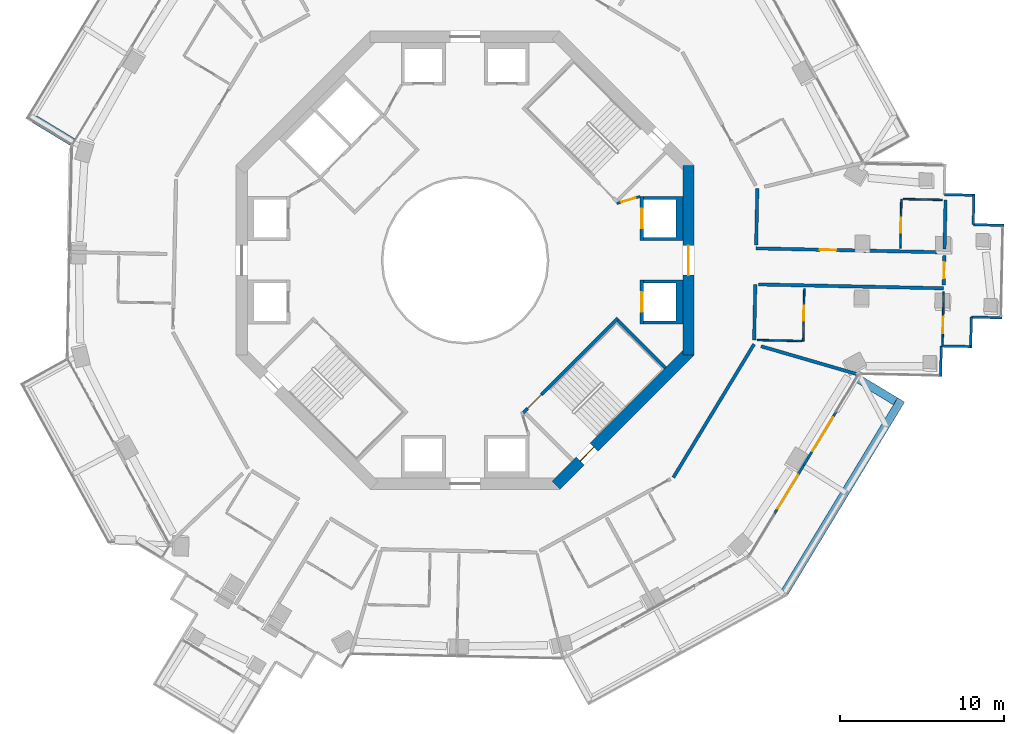
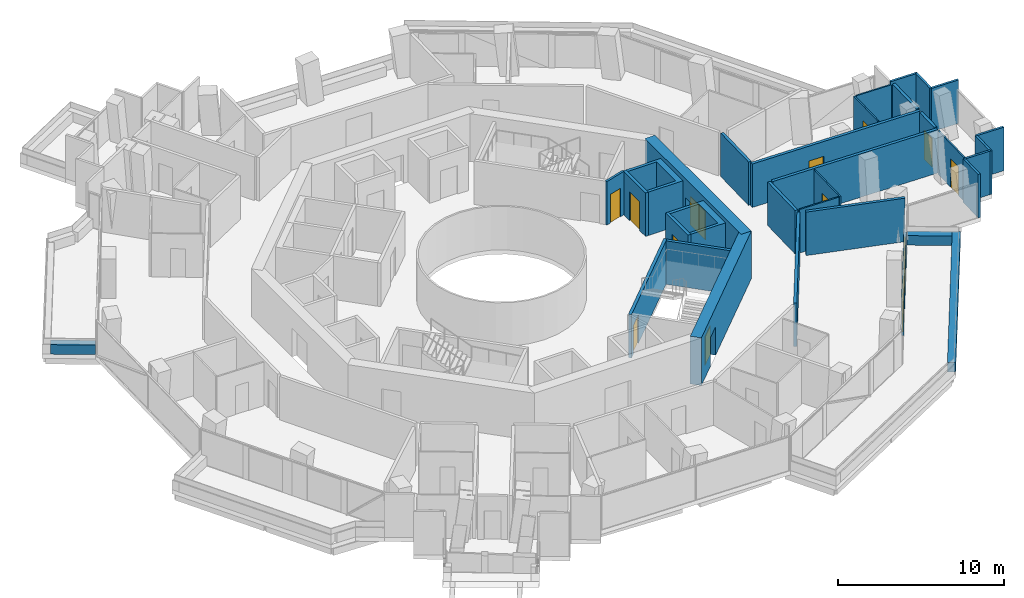
# One storey, part 16 of 22: 34 walls, 13 doors, 13 openings.
"""IFC4 building model written with IfcOpenShell, lengths in metres."""

from ifc_helpers import new_model, si_unit, direction, frame, frame_2d, origin, place, context, subcontext, project, spatial, polyline, rectangle, outline, extrude, material, layer, layer_set, type_object, element, fill, save


model = new_model("IFC4")

# Units and contexts
model_context = context("Model", 3, precision=1e-05, world=origin(), true_north=direction((0.0, 1.0)))
body_context = subcontext(model_context, "Body", "Model", "MODEL_VIEW")
ifc_project = project(units=[si_unit("LENGTHUNIT", "METRE"), si_unit("AREAUNIT", "SQUARE_METRE"), si_unit("VOLUMEUNIT", "CUBIC_METRE"), si_unit("PLANEANGLEUNIT", "RADIAN"), si_unit("MASSUNIT", "GRAM", prefix="KILO")], contexts=[model_context])

# Site, building, storey
site_placement = place(None, origin())
site = spatial("IfcSite", under=ifc_project, at=site_placement, CompositionType="ELEMENT")
building_placement = place(site_placement, origin())
building = spatial("IfcBuilding", under=site, at=building_placement, Name="Verdalira Terraces Hotel", CompositionType="ELEMENT")
storey_placement = place(building_placement, frame((0.0, 0.0, 150.5)))
storey = spatial("IfcBuildingStorey", under=building, at=storey_placement, Name="L36", CompositionType="ELEMENT", Elevation=150.5)

# Walls
ifc_material_1 = material(Name="Concrete C40", Category="concrete")
ifc_layer_1 = layer(ifc_material_1, 0.5)
ifc_layer_set_1 = layer_set([ifc_layer_1], Name="Balcony planter trough with tree")
wall_type_1 = type_object("IfcWallType", Name="Balcony planter trough with tree", PredefinedType="SOLIDWALL", material=ifc_layer_set_1)
wall_1_placement = place(storey_placement, frame((-26.296875, 8.619141, 0.0), z_axis=(0.0, 0.0, 1.0), x_axis=(0.855354527, -0.518043081, 0.0)))
element("IfcWall", 1, at=wall_1_placement, inside=storey, type_object=wall_type_1, Name="Balcony planter", PredefinedType="SOLIDWALL", context=body_context, shape_type="SweptSolid", body=[
    extrude(rectangle(XDim=2.698975, YDim=0.5, at=frame_2d((1.349609, 0.0))), origin(), (0.0, 0.0, 1.0), 0.699951),
])
wall_2_placement = place(storey_placement, frame((19.531006, -20.273438, 0.0), z_axis=(0.0, 0.0, 1.0), x_axis=(0.518020576, 0.855368156, 0.0)))
element("IfcWall", 2, at=wall_2_placement, inside=storey, type_object=wall_type_1, Name="Balcony planter", PredefinedType="SOLIDWALL", context=body_context, shape_type="SweptSolid", body=[
    extrude(rectangle(XDim=13.723633, YDim=0.5, at=frame_2d((6.861816, 0.0))), origin(), (0.0, 0.0, 1.0), 0.699951),
])
wall_3_placement = place(storey_placement, frame((26.296875, -8.619141, 0.0), z_axis=(0.0, 0.0, 1.0), x_axis=(-0.855354527, 0.518043081, 0.0)))
element("IfcWall", 3, at=wall_3_placement, inside=storey, type_object=wall_type_1, Name="Balcony planter", PredefinedType="SOLIDWALL", context=body_context, shape_type="SweptSolid", body=[
    extrude(rectangle(XDim=2.698975, YDim=0.5, at=frame_2d((1.349609, 0.0))), origin(), (0.0, 0.0, 1.0), 0.699951),
])
ifc_material_2 = material(Name="Moisture-resistant gypsum board partition")
ifc_layer_2 = layer(ifc_material_2, 0.10009765625)
ifc_layer_set_2 = layer_set([ifc_layer_2], Name="Bathroom partition 100 mm")
wall_type_2 = type_object("IfcWallType", Name="Bathroom partition 100 mm", PredefinedType="PARTITIONING", material=ifc_layer_set_2)
wall_4_placement = place(storey_placement, frame((17.860107, -4.875, 0.0), z_axis=(0.0, 0.0, 1.0), x_axis=(0.999779947, -0.020977566, 0.0)))
element("IfcWall", 4, at=wall_4_placement, inside=storey, type_object=wall_type_2, Name="Bathroom partition", PredefinedType="PARTITIONING", context=body_context, shape_type="SweptSolid", body=[
    extrude(rectangle(XDim=2.699951, YDim=0.100098, at=frame_2d((1.350098, 0.0))), origin(), (0.0, 0.0, 1.0), 3.189941),
])

# Wall, opening, door
wall_5_placement = place(storey_placement, frame((20.659424, -4.933594, 0.0), z_axis=(0.0, 0.0, 1.0), x_axis=(0.020981339, 0.999779867, 0.0)))
wall_5 = element("IfcWall", 5, at=wall_5_placement, inside=storey, type_object=wall_type_2, Name="Bathroom partition", PredefinedType="PARTITIONING", context=body_context, shape_type="SweptSolid", body=[
    extrude(rectangle(XDim=3.199951, YDim=0.100098, at=frame_2d((1.600098, 0.0))), origin(), (0.0, 0.0, 1.0), 3.189941),
])
opening_1_placement = place(wall_5_placement, frame((1.25, 0.0, 0.0)))
opening_1 = element("IfcOpeningElement", 6, at=opening_1_placement, cuts=wall_5, Name="Opening L36-124", PredefinedType="OPENING", context=body_context, shape_type="SweptSolid", body=[
    extrude(rectangle(XDim=0.899902, YDim=2.100098, at=frame_2d((0.449951, 1.050049))), frame((0.0, 0.060059, 0.0), z_axis=(0.0, -1.0, 0.0), x_axis=(1.0, 0.0, 0.0)), (0.0, 0.0, 1.0), 0.120117),
])
ifc_material_3 = material(Name="Timber door", Category="wood")
door_type_1 = type_object("IfcDoorType", Name="Bathroom door 900 x 2100", OperationType="NOTDEFINED", PredefinedType="DOOR", material=ifc_material_3)
door_1_placement = place(opening_1_placement, origin())
door_1 = element("IfcDoor", 7, at=door_1_placement, inside=storey, type_object=door_type_1, Name="Bathroom door 3608", OperationType="SINGLE_SWING_LEFT", OverallHeight=2.10009765625, OverallWidth=0.89990234375, PredefinedType="DOOR", context=body_context, shape_type="SweptSolid", body=[
    extrude(rectangle(XDim=0.899902, YDim=2.100098, at=frame_2d((0.449951, 1.050049))), frame((0.0, 0.024902, 0.0), z_axis=(0.0, -1.0, 0.0), x_axis=(1.0, 0.0, 0.0)), (0.0, 0.0, 1.0), 0.050049),
])
fill(opening_1, door_1)

wall_6_placement = place(storey_placement, frame((26.655029, 3.742676, 0.0), z_axis=(0.0, 0.0, 1.0), x_axis=(-0.020915245, -0.999781252, 0.0)))
wall_6 = element("IfcWall", 8, at=wall_6_placement, inside=storey, type_object=wall_type_2, Name="Bathroom partition", PredefinedType="PARTITIONING", context=body_context, shape_type="SweptSolid", body=[
    extrude(rectangle(XDim=3.0, YDim=0.100098, at=frame_2d((1.5, 0.0))), origin(), (0.0, 0.0, 1.0), 3.189941),
])
opening_2_placement = place(wall_6_placement, frame((1.149902, 0.0, 0.0)))
opening_2 = element("IfcOpeningElement", 9, at=opening_2_placement, cuts=wall_6, Name="Opening L36-126", PredefinedType="OPENING", context=body_context, shape_type="SweptSolid", body=[
    extrude(rectangle(XDim=0.899902, YDim=2.100098, at=frame_2d((0.449951, 1.050049))), frame((0.0, 0.060059, 0.0), z_axis=(0.0, -1.0, 0.0), x_axis=(1.0, 0.0, 0.0)), (0.0, 0.0, 1.0), 0.120117),
])
door_2_placement = place(opening_2_placement, origin())
door_2 = element("IfcDoor", 10, at=door_2_placement, inside=storey, type_object=door_type_1, Name="Bathroom door 3609", OperationType="SINGLE_SWING_LEFT", OverallHeight=2.10009765625, OverallWidth=0.89990234375, PredefinedType="DOOR", context=body_context, shape_type="SweptSolid", body=[
    extrude(rectangle(XDim=0.899902, YDim=2.100098, at=frame_2d((0.449951, 1.050049))), frame((0.0, 0.024902, 0.0), z_axis=(0.0, -1.0, 0.0), x_axis=(1.0, 0.0, 0.0)), (0.0, 0.0, 1.0), 0.050049),
])
fill(opening_2, door_2)

# Wall
wall_7_placement = place(storey_placement, frame((26.754883, 3.740479, 0.0), z_axis=(0.0, 0.0, 1.0), x_axis=(0.999780445, -0.020953787, 0.0)))
element("IfcWall", 11, at=wall_7_placement, inside=storey, type_object=wall_type_2, Name="Bathroom partition", PredefinedType="PARTITIONING", context=body_context, shape_type="SweptSolid", body=[
    extrude(rectangle(XDim=2.400146, YDim=0.100098, at=frame_2d((1.200195, 0.0))), origin(), (0.0, 0.0, 1.0), 3.189941),
])

# Wall, opening, door
wall_8_placement = place(storey_placement, frame((29.169189, -5.164062, 0.0), z_axis=(0.0, 0.0, 1.0), x_axis=(0.020944496, 0.99978064, 0.0)))
wall_8 = element("IfcWall", 12, at=wall_8_placement, inside=storey, type_object=wall_type_2, Name="Bathroom partition", PredefinedType="PARTITIONING", context=body_context, shape_type="SweptSolid", body=[
    extrude(rectangle(XDim=3.252197, YDim=0.100098, at=frame_2d((1.625977, 0.0))), origin(), (0.0, 0.0, 1.0), 3.189941),
])
opening_3_placement = place(wall_8_placement, frame((0.699951, 0.0, 0.0)))
opening_3 = element("IfcOpeningElement", 13, at=opening_3_placement, cuts=wall_8, Name="Opening L36-123", PredefinedType="OPENING", context=body_context, shape_type="SweptSolid", body=[
    extrude(rectangle(XDim=1.0, YDim=2.100098, at=frame_2d((0.5, 1.050049))), frame((0.0, 0.060059, 0.0), z_axis=(0.0, -1.0, 0.0), x_axis=(1.0, 0.0, 0.0)), (0.0, 0.0, 1.0), 0.120117),
])
ifc_material_4 = material(Name="Timber door", Category="wood")
door_type_2 = type_object("IfcDoorType", Name="Suite internal door 1000 x 2100", OperationType="NOTDEFINED", PredefinedType="DOOR", material=ifc_material_4)
door_3_placement = place(opening_3_placement, origin())
door_3 = element("IfcDoor", 14, at=door_3_placement, inside=storey, type_object=door_type_2, Name="Suite internal door 3608", OperationType="SINGLE_SWING_LEFT", OverallHeight=2.10009765625, OverallWidth=1.0, PredefinedType="DOOR", context=body_context, shape_type="SweptSolid", body=[
    extrude(rectangle(XDim=1.0, YDim=2.100098, at=frame_2d((0.5, 1.050049))), frame((0.0, 0.024902, 0.0), z_axis=(0.0, -1.0, 0.0), x_axis=(1.0, 0.0, 0.0)), (0.0, 0.0, 1.0), 0.050049),
])
fill(opening_3, door_3)

# Wall
ifc_material_5 = material(Name="Concrete C50", Category="concrete")
ifc_layer_3 = layer(ifc_material_5, 0.199951171875)
ifc_layer_set_3 = layer_set([ifc_layer_3], Name="Core RC wall 200 C50")
wall_type_3 = type_object("IfcWallType", Name="Core RC wall 200 C50", PredefinedType="SOLIDWALL", material=ifc_layer_set_3)
wall_9_placement = place(storey_placement, origin())
element("IfcWall", 15, at=wall_9_placement, inside=storey, type_object=wall_type_3, Name="L36 shaft wall E1", PredefinedType="SOLIDWALL", context=body_context, shape_type="SweptSolid", body=[
    extrude(outline(polyline([(13.300049, -3.899902), (10.899902, -3.899902), (10.899902, -3.699951), (12.899902, -3.699951), (12.899902, -1.399902), (10.899902, -1.399902), (10.899902, -1.199951), (13.300049, -1.199951), (13.300049, -3.899902)])), origin(), (0.0, 0.0, 1.0), 3.189941),
])

# Wall, opening, door
wall_10_placement = place(storey_placement, frame((10.800049, -1.199951, 0.0), z_axis=(0.0, 0.0, 1.0), x_axis=(0.0, -1.0, 0.0)))
wall_10 = element("IfcWall", 16, at=wall_10_placement, inside=storey, type_object=wall_type_3, Name="L36 shaft front wall E1", PredefinedType="SOLIDWALL", context=body_context, shape_type="SweptSolid", body=[
    extrude(rectangle(XDim=2.699951, YDim=0.199951, at=frame_2d((1.350098, 0.0))), origin(), (0.0, 0.0, 1.0), 3.189941),
])
opening_4_placement = place(wall_10_placement, frame((0.75, 0.0, 0.0)))
opening_4 = element("IfcOpeningElement", 17, at=opening_4_placement, cuts=wall_10, Name="Opening LD-L36-801", PredefinedType="OPENING", context=body_context, shape_type="SweptSolid", body=[
    extrude(rectangle(XDim=1.199951, YDim=2.100098, at=frame_2d((0.600098, 1.050049))), frame((0.0, 0.109863, 0.0), z_axis=(0.0, -1.0, 0.0), x_axis=(1.0, 0.0, 0.0)), (0.0, 0.0, 1.0), 0.219971),
])
ifc_material_6 = material(Name="Stainless steel", Category="steel")
door_type_3 = type_object("IfcDoorType", Name="Landing door 1200 x 2100", OperationType="NOTDEFINED", PredefinedType="DOOR", material=ifc_material_6)
door_4_placement = place(opening_4_placement, origin())
door_4 = element("IfcDoor", 18, at=door_4_placement, inside=storey, type_object=door_type_3, Name="Lift landing door LR1 L36", OperationType="DOUBLE_DOOR_SLIDING", OverallHeight=2.10009765625, OverallWidth=1.199951171875, PredefinedType="DOOR", context=body_context, shape_type="SweptSolid", body=[
    extrude(rectangle(XDim=1.199951, YDim=2.100098, at=frame_2d((0.600098, 1.050049))), frame((0.0, 0.024902, 0.0), z_axis=(0.0, -1.0, 0.0), x_axis=(1.0, 0.0, 0.0)), (0.0, 0.0, 1.0), 0.050049),
])
fill(opening_4, door_4)

# Wall
wall_11_placement = place(storey_placement, origin())
element("IfcWall", 19, at=wall_11_placement, inside=storey, type_object=wall_type_3, Name="L36 shaft wall E2", PredefinedType="SOLIDWALL", context=body_context, shape_type="SweptSolid", body=[
    extrude(outline(polyline([(13.300049, 3.899902), (13.300049, 1.199951), (10.899902, 1.199951), (10.899902, 1.399902), (12.899902, 1.399902), (12.899902, 3.699951), (10.899902, 3.699951), (10.899902, 3.899902), (13.300049, 3.899902)])), origin(), (0.0, 0.0, 1.0), 3.189941),
])

# Wall, opening, door
wall_12_placement = place(storey_placement, frame((10.800049, 1.199951, 0.0), z_axis=(0.0, 0.0, 1.0), x_axis=(0.0, 1.0, 0.0)))
wall_12 = element("IfcWall", 20, at=wall_12_placement, inside=storey, type_object=wall_type_3, Name="L36 shaft front wall E2", PredefinedType="SOLIDWALL", context=body_context, shape_type="SweptSolid", body=[
    extrude(rectangle(XDim=2.699951, YDim=0.199951, at=frame_2d((1.350098, 0.0))), origin(), (0.0, 0.0, 1.0), 3.189941),
])
opening_5_placement = place(wall_12_placement, frame((0.75, 0.0, 0.0)))
opening_5 = element("IfcOpeningElement", 21, at=opening_5_placement, cuts=wall_12, Name="Opening LD-L36-802", PredefinedType="OPENING", context=body_context, shape_type="SweptSolid", body=[
    extrude(rectangle(XDim=1.199951, YDim=2.100098, at=frame_2d((0.600098, 1.050049))), frame((0.0, 0.109863, 0.0), z_axis=(0.0, -1.0, 0.0), x_axis=(1.0, 0.0, 0.0)), (0.0, 0.0, 1.0), 0.219971),
])
door_5_placement = place(opening_5_placement, origin())
door_5 = element("IfcDoor", 22, at=door_5_placement, inside=storey, type_object=door_type_3, Name="Lift landing door LR2 L36", OperationType="DOUBLE_DOOR_SLIDING", OverallHeight=2.10009765625, OverallWidth=1.199951171875, PredefinedType="DOOR", context=body_context, shape_type="SweptSolid", body=[
    extrude(rectangle(XDim=1.199951, YDim=2.100098, at=frame_2d((0.600098, 1.050049))), frame((0.0, 0.024902, 0.0), z_axis=(0.0, -1.0, 0.0), x_axis=(1.0, 0.0, 0.0)), (0.0, 0.0, 1.0), 0.050049),
])
fill(opening_5, door_5)

wall_13_placement = place(storey_placement, frame((9.33374, -3.5354, 0.0), z_axis=(0.0, 0.0, 1.0), x_axis=(-0.707106781, -0.707106781, 0.0)))
wall_13 = element("IfcWall", 23, at=wall_13_placement, inside=storey, type_object=wall_type_3, Name="L36 stair ST3 front wall", PredefinedType="SOLIDWALL", context=body_context, shape_type="SweptSolid", body=[
    extrude(rectangle(XDim=8.200195, YDim=0.199951, at=frame_2d((4.100098, 0.0))), origin(), (0.0, 0.0, 1.0), 3.189941),
])
opening_6_placement = place(wall_13_placement, frame((6.600098, 0.0, 0.0)))
opening_6 = element("IfcOpeningElement", 24, at=opening_6_placement, cuts=wall_13, Name="Opening L36-811", PredefinedType="OPENING", context=body_context, shape_type="SweptSolid", body=[
    extrude(rectangle(XDim=1.199951, YDim=2.100098, at=frame_2d((0.600098, 1.050049))), frame((0.0, 0.109863, 0.0), z_axis=(0.0, -1.0, 0.0), x_axis=(1.0, 0.0, 0.0)), (0.0, 0.0, 1.0), 0.219971),
])
ifc_material_7 = material(Name="Steel fire door", Category="steel")
door_type_4 = type_object("IfcDoorType", Name="Stair door 1200 x 2100", OperationType="NOTDEFINED", PredefinedType="DOOR", material=ifc_material_7)
door_6_placement = place(opening_6_placement, origin())
door_6 = element("IfcDoor", 25, at=door_6_placement, inside=storey, type_object=door_type_4, Name="Stair door ST3 L36", OperationType="SINGLE_SWING_RIGHT", OverallHeight=2.10009765625, OverallWidth=1.199951171875, PredefinedType="DOOR", context=body_context, shape_type="SweptSolid", body=[
    extrude(rectangle(XDim=1.199951, YDim=2.100098, at=frame_2d((0.600098, 1.050049))), frame((0.0, 0.024902, 0.0), z_axis=(0.0, -1.0, 0.0), x_axis=(1.0, 0.0, 0.0)), (0.0, 0.0, 1.0), 0.050049),
])
fill(opening_6, door_6)

# Wall
wall_14_placement = place(storey_placement, frame((9.33374, -3.677002, 0.0), z_axis=(0.0, 0.0, 1.0), x_axis=(0.707106781, -0.707106781, 0.0)))
element("IfcWall", 26, at=wall_14_placement, inside=storey, type_object=wall_type_3, Name="L36 stair ST3 end wall 2", PredefinedType="SOLIDWALL", context=body_context, shape_type="SweptSolid", body=[
    extrude(rectangle(XDim=4.100098, YDim=0.199951, at=frame_2d((2.050049, 0.0))), origin(), (0.0, 0.0, 1.0), 3.189941),
])

# Wall, opening, door
ifc_material_8 = material(Name="Gypsum board partition")
ifc_layer_4 = layer(ifc_material_8, 0.14990234375)
ifc_layer_set_4 = layer_set([ifc_layer_4], Name="Core partition 150 mm")
wall_type_4 = type_object("IfcWallType", Name="Core partition 150 mm", PredefinedType="PARTITIONING", material=ifc_layer_set_4)
wall_15_placement = place(storey_placement, frame((10.699951, 3.899902, 0.0), z_axis=(0.0, 0.0, 1.0), x_axis=(-0.957084567, -0.289808785, 0.0)))
wall_15 = element("IfcWall", 27, at=wall_15_placement, inside=storey, type_object=wall_type_4, Name="Room partition L36", PredefinedType="PARTITIONING", context=body_context, shape_type="SweptSolid", body=[
    extrude(rectangle(XDim=1.501221, YDim=0.149902, at=frame_2d((0.750488, 0.0))), origin(), (0.0, 0.0, 1.0), 3.189941),
])
opening_7_placement = place(wall_15_placement, frame((0.300781, 0.0, 0.0)))
opening_7 = element("IfcOpeningElement", 28, at=opening_7_placement, cuts=wall_15, Name="Opening L36-820", PredefinedType="OPENING", context=body_context, shape_type="SweptSolid", body=[
    extrude(rectangle(XDim=0.899902, YDim=2.100098, at=frame_2d((0.449951, 1.050049))), frame((0.0, 0.084961, 0.0), z_axis=(0.0, -1.0, 0.0), x_axis=(1.0, 0.0, 0.0)), (0.0, 0.0, 1.0), 0.169922),
])
ifc_material_9 = material(Name="Steel fire door", Category="steel")
door_type_5 = type_object("IfcDoorType", Name="Core room door 900 x 2100", OperationType="NOTDEFINED", PredefinedType="DOOR", material=ifc_material_9)
door_7_placement = place(opening_7_placement, origin())
door_7 = element("IfcDoor", 29, at=door_7_placement, inside=storey, type_object=door_type_5, Name="Door L36 room0", OperationType="SINGLE_SWING_LEFT", OverallHeight=2.10009765625, OverallWidth=0.89990234375, PredefinedType="DOOR", context=body_context, shape_type="SweptSolid", body=[
    extrude(rectangle(XDim=0.899902, YDim=2.100098, at=frame_2d((0.449951, 1.050049))), frame((0.0, 0.024902, 0.0), z_axis=(0.0, -1.0, 0.0), x_axis=(1.0, 0.0, 0.0)), (0.0, 0.0, 1.0), 0.050049),
])
fill(opening_7, door_7)

ifc_material_10 = material(Name="Concrete C60", Category="concrete")
ifc_layer_5 = layer(ifc_material_10, 0.699951171875)
ifc_layer_set_5 = layer_set([ifc_layer_5], Name="Core wall 700 C60")
wall_type_5 = type_object("IfcWallType", Name="Core wall 700 C60", PredefinedType="SHEAR", material=ifc_layer_set_5)
wall_16_placement = place(storey_placement, frame((13.649902, -5.799072, 0.0), z_axis=(0.0, 0.0, 1.0), x_axis=(0.0, 1.0, 0.0)))
wall_16 = element("IfcWall", 30, at=wall_16_placement, inside=storey, type_object=wall_type_5, Name="Core wall CW-L36-1", PredefinedType="SHEAR", context=body_context, shape_type="SweptSolid", body=[
    extrude(rectangle(XDim=11.598145, YDim=0.699951, at=frame_2d((5.799072, 0.0))), origin(), (0.0, 0.0, 1.0), 3.5),
])
opening_8_placement = place(wall_16_placement, frame((4.898926, 0.0, 0.0)))
opening_8 = element("IfcOpeningElement", 31, at=opening_8_placement, cuts=wall_16, Name="Opening L36-812", PredefinedType="OPENING", context=body_context, shape_type="SweptSolid", body=[
    extrude(rectangle(XDim=1.800049, YDim=2.100098, at=frame_2d((0.899902, 1.050049))), frame((0.0, 0.359863, 0.0), z_axis=(0.0, -1.0, 0.0), x_axis=(1.0, 0.0, 0.0)), (0.0, 0.0, 1.0), 0.719971),
])
ifc_material_11 = material(Name="Steel fire door", Category="steel")
door_type_6 = type_object("IfcDoorType", Name="Core entry door pair 1800 x 2100", OperationType="NOTDEFINED", PredefinedType="DOOR", material=ifc_material_11)
door_8_placement = place(opening_8_placement, origin())
door_8 = element("IfcDoor", 32, at=door_8_placement, inside=storey, type_object=door_type_6, Name="Core entry door L36 0", OperationType="DOUBLE_DOOR_SINGLE_SWING", OverallHeight=2.10009765625, OverallWidth=1.800048828125, PredefinedType="DOOR", context=body_context, shape_type="SweptSolid", body=[
    extrude(rectangle(XDim=1.800049, YDim=2.100098, at=frame_2d((0.899902, 1.050049))), frame((0.0, 0.024902, 0.0), z_axis=(0.0, -1.0, 0.0), x_axis=(1.0, 0.0, 0.0)), (0.0, 0.0, 1.0), 0.050049),
])
fill(opening_8, door_8)

wall_17_placement = place(storey_placement, frame((5.551514, -13.752441, 0.0), z_axis=(0.0, 0.0, 1.0), x_axis=(0.707106781, 0.707106781, 0.0)))
wall_17 = element("IfcWall", 33, at=wall_17_placement, inside=storey, type_object=wall_type_5, Name="Core wall CW-L36-8", PredefinedType="SHEAR", context=body_context, shape_type="SweptSolid", body=[
    extrude(rectangle(XDim=11.5979, YDim=0.699951, at=frame_2d((5.798828, 0.0))), origin(), (0.0, 0.0, 1.0), 3.5),
])
opening_9_placement = place(wall_17_placement, frame((2.099121, 0.0, 0.0)))
opening_9 = element("IfcOpeningElement", 34, at=opening_9_placement, cuts=wall_17, Name="Opening L36-818", PredefinedType="OPENING", context=body_context, shape_type="SweptSolid", body=[
    extrude(rectangle(XDim=1.199951, YDim=2.100098, at=frame_2d((0.600098, 1.050049))), frame((0.0, 0.359863, 0.0), z_axis=(0.0, -1.0, 0.0), x_axis=(1.0, 0.0, 0.0)), (0.0, 0.0, 1.0), 0.719971),
])
door_9_placement = place(opening_9_placement, origin())
door_9 = element("IfcDoor", 35, at=door_9_placement, inside=storey, type_object=door_type_4, Name="Stair exit door ST3 L36", OperationType="SINGLE_SWING_LEFT", OverallHeight=2.10009765625, OverallWidth=1.199951171875, PredefinedType="DOOR", context=body_context, shape_type="SweptSolid", body=[
    extrude(rectangle(XDim=1.199951, YDim=2.100098, at=frame_2d((0.600098, 1.050049))), frame((0.0, 0.024902, 0.0), z_axis=(0.0, -1.0, 0.0), x_axis=(1.0, 0.0, 0.0)), (0.0, 0.0, 1.0), 0.050049),
])
fill(opening_9, door_9)

# Walls
ifc_material_12 = material(Name="Fire-rated gypsum board wall")
ifc_layer_6 = layer(ifc_material_12, 0.199951171875)
ifc_layer_set_6 = layer_set([ifc_layer_6], Name="Demising wall 200 mm")
wall_type_6 = type_object("IfcWallType", Name="Demising wall 200 mm", PredefinedType="SOLIDWALL", material=ifc_layer_set_6)
wall_18_placement = place(storey_placement, frame((18.084229, -5.253906, 0.0), z_axis=(0.0, 0.0, 1.0), x_axis=(0.960299102, -0.278972463, 0.0)))
element("IfcWall", 36, at=wall_18_placement, inside=storey, type_object=wall_type_6, Name="Demising wall", PredefinedType="SOLIDWALL", context=body_context, shape_type="SweptSolid", body=[
    extrude(rectangle(XDim=6.13208, YDim=0.199951, at=frame_2d((3.065918, 0.0))), origin(), (0.0, 0.0, 1.0), 3.189941),
])
wall_19_placement = place(storey_placement, frame((29.291504, 0.684814, 0.0), z_axis=(0.0, 0.0, 1.0), x_axis=(0.020969293, 0.99978012, 0.0)))
element("IfcWall", 37, at=wall_19_placement, inside=storey, type_object=wall_type_6, Name="Demising wall", PredefinedType="SOLIDWALL", context=body_context, shape_type="SweptSolid", body=[
    extrude(rectangle(XDim=3.003906, YDim=0.199951, at=frame_2d((1.501953, 0.0))), origin(), (0.0, 0.0, 1.0), 3.189941),
])
ifc_material_13 = material(Name="Fire-rated gypsum board wall")
ifc_layer_7 = layer(ifc_material_13, 0.199951171875)
ifc_layer_set_7 = layer_set([ifc_layer_7], Name="Guest corridor wall 200 mm")
wall_type_7 = type_object("IfcWallType", Name="Guest corridor wall 200 mm", PredefinedType="SOLIDWALL", material=ifc_layer_set_7)
wall_20_placement = place(storey_placement, frame((12.725098, -13.268799, 0.0), z_axis=(0.0, 0.0, 1.0), x_axis=(0.518037864, 0.855357686, 0.0)))
element("IfcWall", 38, at=wall_20_placement, inside=storey, type_object=wall_type_7, Name="Guest corridor wall", PredefinedType="SOLIDWALL", context=body_context, shape_type="SweptSolid", body=[
    extrude(rectangle(XDim=9.516113, YDim=0.199951, at=frame_2d((4.758057, 0.0))), origin(), (0.0, 0.0, 1.0), 3.189941),
])
wall_21_placement = place(storey_placement, frame((17.660156, -4.87085, 0.0), z_axis=(0.0, 0.0, 1.0), x_axis=(0.020967881, 0.99978015, 0.0)))
element("IfcWall", 39, at=wall_21_placement, inside=storey, type_object=wall_type_7, Name="Guest corridor wall", PredefinedType="SOLIDWALL", context=body_context, shape_type="SweptSolid", body=[
    extrude(rectangle(XDim=3.399902, YDim=0.199951, at=frame_2d((1.699951, 0.0))), origin(), (0.0, 0.0, 1.0), 3.189941),
])
wall_22_placement = place(storey_placement, frame((17.781738, 0.927734, 0.0), z_axis=(0.0, 0.0, 1.0), x_axis=(0.020894964, 0.999781676, 0.0)))
element("IfcWall", 40, at=wall_22_placement, inside=storey, type_object=wall_type_7, Name="Guest corridor wall", PredefinedType="SOLIDWALL", context=body_context, shape_type="SweptSolid", body=[
    extrude(rectangle(XDim=3.458496, YDim=0.199951, at=frame_2d((1.729248, 0.0))), origin(), (0.0, 0.0, 1.0), 3.189941),
])

# Wall, opening, door
wall_23_placement = place(storey_placement, frame((17.777588, 0.727783, 0.0), z_axis=(0.0, 0.0, 1.0), x_axis=(0.999780926, -0.020930826, 0.0)))
wall_23 = element("IfcWall", 41, at=wall_23_placement, inside=storey, type_object=wall_type_7, Name="Guest corridor wall", PredefinedType="SOLIDWALL", context=body_context, shape_type="SweptSolid", body=[
    extrude(rectangle(XDim=11.512451, YDim=0.199951, at=frame_2d((5.756348, 0.0))), origin(), (0.0, 0.0, 1.0), 3.189941),
])
opening_10_placement = place(wall_23_placement, frame((3.899902, 0.0, 0.0)))
opening_10 = element("IfcOpeningElement", 42, at=opening_10_placement, cuts=wall_23, Name="Opening L36-125", PredefinedType="OPENING", context=body_context, shape_type="SweptSolid", body=[
    extrude(rectangle(XDim=1.0, YDim=2.100098, at=frame_2d((0.5, 1.050049))), frame((0.0, 0.109863, 0.0), z_axis=(0.0, -1.0, 0.0), x_axis=(1.0, 0.0, 0.0)), (0.0, 0.0, 1.0), 0.219971),
])
ifc_material_14 = material(Name="Timber fire door", Category="wood")
door_type_7 = type_object("IfcDoorType", Name="Guest entry door 1000 x 2100", OperationType="NOTDEFINED", PredefinedType="DOOR", material=ifc_material_14)
door_10_placement = place(opening_10_placement, origin())
door_10 = element("IfcDoor", 43, at=door_10_placement, inside=storey, type_object=door_type_7, Name="Guest entry door 3609", OperationType="SINGLE_SWING_LEFT", OverallHeight=2.10009765625, OverallWidth=1.0, PredefinedType="DOOR", context=body_context, shape_type="SweptSolid", body=[
    extrude(rectangle(XDim=1.0, YDim=2.100098, at=frame_2d((0.5, 1.050049))), frame((0.0, 0.024902, 0.0), z_axis=(0.0, -1.0, 0.0), x_axis=(1.0, 0.0, 0.0)), (0.0, 0.0, 1.0), 0.050049),
])
fill(opening_10, door_10)

# Wall
wall_24_placement = place(storey_placement, frame((17.931396, -1.47583, 0.0), z_axis=(0.0, 0.0, 1.0), x_axis=(0.999780408, -0.020955549, 0.0)))
element("IfcWall", 44, at=wall_24_placement, inside=storey, type_object=wall_type_7, Name="Guest corridor wall", PredefinedType="SOLIDWALL", context=body_context, shape_type="SweptSolid", body=[
    extrude(rectangle(XDim=11.3125, YDim=0.199951, at=frame_2d((5.65625, 0.0))), origin(), (0.0, 0.0, 1.0), 3.189941),
])

# Wall, opening, door
wall_25_placement = place(storey_placement, frame((29.283203, 0.288818, 0.0), z_axis=(0.0, 0.0, 1.0), x_axis=(-0.020840086, -0.999782822, 0.0)))
wall_25 = element("IfcWall", 45, at=wall_25_placement, inside=storey, type_object=wall_type_7, Name="Guest corridor wall", PredefinedType="SOLIDWALL", context=body_context, shape_type="SweptSolid", body=[
    extrude(rectangle(XDim=1.804199, YDim=0.199951, at=frame_2d((0.9021, 0.0))), origin(), (0.0, 0.0, 1.0), 3.189941),
])
opening_11_placement = place(wall_25_placement, frame((0.399902, 0.0, 0.0)))
opening_11 = element("IfcOpeningElement", 46, at=opening_11_placement, cuts=wall_25, Name="Opening L36-122", PredefinedType="OPENING", context=body_context, shape_type="SweptSolid", body=[
    extrude(rectangle(XDim=1.0, YDim=2.100098, at=frame_2d((0.5, 1.050049))), frame((0.0, 0.109863, 0.0), z_axis=(0.0, -1.0, 0.0), x_axis=(1.0, 0.0, 0.0)), (0.0, 0.0, 1.0), 0.219971),
])
door_11_placement = place(opening_11_placement, origin())
door_11 = element("IfcDoor", 47, at=door_11_placement, inside=storey, type_object=door_type_7, Name="Guest entry door 3608", OperationType="SINGLE_SWING_LEFT", OverallHeight=2.10009765625, OverallWidth=1.0, PredefinedType="DOOR", context=body_context, shape_type="SweptSolid", body=[
    extrude(rectangle(XDim=1.0, YDim=2.100098, at=frame_2d((0.5, 1.050049))), frame((0.0, 0.024902, 0.0), z_axis=(0.0, -1.0, 0.0), x_axis=(1.0, 0.0, 0.0)), (0.0, 0.0, 1.0), 0.050049),
])
fill(opening_11, door_11)

# Walls
ifc_material_15 = material(Name="Terracotta cladding", Category="masonry")
ifc_layer_8 = layer(ifc_material_15, 0.14990234375)
ifc_layer_set_8 = layer_set([ifc_layer_8], Name="Terracotta clad wall 150")
wall_type_8 = type_object("IfcWallType", Name="Terracotta clad wall 150", PredefinedType="SOLIDWALL", material=ifc_layer_set_8)
wall_26_placement = place(storey_placement, frame((29.053223, -7.110107, 0.0), z_axis=(0.0, 0.0, 1.0), x_axis=(0.020961665, 0.99978028, 0.0)))
element("IfcWall", 48, at=wall_26_placement, inside=storey, type_object=wall_type_8, Name="Terracotta cladding wall", PredefinedType="SOLIDWALL", context=body_context, shape_type="SweptSolid", body=[
    extrude(rectangle(XDim=1.875244, YDim=0.149902, at=frame_2d((0.9375, 0.0))), origin(), (0.0, 0.0, 1.0), 3.189941),
])
wall_27_placement = place(storey_placement, frame((29.092529, -5.235352, 0.0), z_axis=(0.0, 0.0, 1.0), x_axis=(0.999778977, -0.021023707, 0.0)))
element("IfcWall", 49, at=wall_27_placement, inside=storey, type_object=wall_type_8, Name="Terracotta cladding wall", PredefinedType="SOLIDWALL", context=body_context, shape_type="SweptSolid", body=[
    extrude(rectangle(XDim=1.800049, YDim=0.149902, at=frame_2d((0.899902, 0.0))), origin(), (0.0, 0.0, 1.0), 3.189941),
])
wall_28_placement = place(storey_placement, frame((30.890625, -5.348145, 0.0), z_axis=(0.0, 0.0, 1.0), x_axis=(0.020961665, 0.99978028, 0.0)))
element("IfcWall", 50, at=wall_28_placement, inside=storey, type_object=wall_type_8, Name="Terracotta cladding wall", PredefinedType="SOLIDWALL", context=body_context, shape_type="SweptSolid", body=[
    extrude(rectangle(XDim=1.875244, YDim=0.149902, at=frame_2d((0.9375, 0.0))), origin(), (0.0, 0.0, 1.0), 3.189941),
])
wall_29_placement = place(storey_placement, frame((30.929932, -3.473389, 0.0), z_axis=(0.0, 0.0, 1.0), x_axis=(0.999780223, -0.020964394, 0.0)))
element("IfcWall", 51, at=wall_29_placement, inside=storey, type_object=wall_type_8, Name="Terracotta cladding wall", PredefinedType="SOLIDWALL", context=body_context, shape_type="SweptSolid", body=[
    extrude(rectangle(XDim=1.875, YDim=0.149902, at=frame_2d((0.9375, 0.0))), origin(), (0.0, 0.0, 1.0), 3.189941),
])
wall_30_placement = place(storey_placement, frame((32.922852, 2.135986, 0.0), z_axis=(0.0, 0.0, 1.0), x_axis=(-0.99978028, 0.020961665, 0.0)))
element("IfcWall", 52, at=wall_30_placement, inside=storey, type_object=wall_type_8, Name="Terracotta cladding wall", PredefinedType="SOLIDWALL", context=body_context, shape_type="SweptSolid", body=[
    extrude(rectangle(XDim=1.875244, YDim=0.149902, at=frame_2d((0.9375, 0.0))), origin(), (0.0, 0.0, 1.0), 3.189941),
])
wall_31_placement = place(storey_placement, frame((31.048096, 2.175293, 0.0), z_axis=(0.0, 0.0, 1.0), x_axis=(0.021023707, 0.999778977, 0.0)))
element("IfcWall", 53, at=wall_31_placement, inside=storey, type_object=wall_type_8, Name="Terracotta cladding wall", PredefinedType="SOLIDWALL", context=body_context, shape_type="SweptSolid", body=[
    extrude(rectangle(XDim=1.800049, YDim=0.149902, at=frame_2d((0.899902, 0.0))), origin(), (0.0, 0.0, 1.0), 3.189941),
])
wall_32_placement = place(storey_placement, frame((31.160889, 3.973389, 0.0), z_axis=(0.0, 0.0, 1.0), x_axis=(-0.999782944, 0.020834237, 0.0)))
element("IfcWall", 54, at=wall_32_placement, inside=storey, type_object=wall_type_8, Name="Terracotta cladding wall", PredefinedType="SOLIDWALL", context=body_context, shape_type="SweptSolid", body=[
    extrude(rectangle(XDim=1.875, YDim=0.149902, at=frame_2d((0.9375, 0.0))), origin(), (0.0, 0.0, 1.0), 3.189941),
])

# Wall, opening, door
ifc_material_16 = material(Name="Terracotta cladding", Category="masonry")
ifc_layer_9 = layer(ifc_material_16, 0.14990234375)
ifc_layer_set_9 = layer_set([ifc_layer_9], Name="Terracotta door pier 150")
wall_type_9 = type_object("IfcWallType", Name="Terracotta door pier 150", PredefinedType="SOLIDWALL", material=ifc_layer_set_9)
wall_33_placement = place(storey_placement, frame((18.885498, -15.5, 0.0), z_axis=(0.0, 0.0, 1.0), x_axis=(0.518004284, 0.855378023, 0.0)))
wall_33 = element("IfcWall", 55, at=wall_33_placement, inside=storey, type_object=wall_type_9, Name="Terracotta door pier", PredefinedType="SOLIDWALL", context=body_context, shape_type="SweptSolid", body=[
    extrude(rectangle(XDim=3.474854, YDim=0.149902, at=frame_2d((1.737305, 0.0))), origin(), (0.0, 0.0, 1.0), 2.475098),
])
opening_12_placement = place(wall_33_placement, frame((0.399902, 0.0, 0.0)))
opening_12 = element("IfcOpeningElement", 56, at=opening_12_placement, cuts=wall_33, Name="Opening L36-B09", PredefinedType="OPENING", context=body_context, shape_type="SweptSolid", body=[
    extrude(rectangle(XDim=2.399902, YDim=2.399902, at=frame_2d((1.199951, 1.199951))), frame((0.0, 0.084961, 0.0), z_axis=(0.0, -1.0, 0.0), x_axis=(1.0, 0.0, 0.0)), (0.0, 0.0, 1.0), 0.169922),
])
ifc_material_17 = material(Name="Clear glass", Category="glass")
door_type_8 = type_object("IfcDoorType", Name="Balcony sliding door 2400x2400", OperationType="NOTDEFINED", PredefinedType="DOOR", material=ifc_material_17)
door_12_placement = place(opening_12_placement, origin())
door_12 = element("IfcDoor", 57, at=door_12_placement, inside=storey, type_object=door_type_8, Name="Balcony sliding door", OperationType="SLIDING_TO_RIGHT", OverallHeight=2.39990234375, OverallWidth=2.39990234375, PredefinedType="DOOR", context=body_context, shape_type="SweptSolid", body=[
    extrude(rectangle(XDim=2.399902, YDim=2.399902, at=frame_2d((1.199951, 1.199951))), frame((0.0, 0.024902, 0.0), z_axis=(0.0, -1.0, 0.0), x_axis=(1.0, 0.0, 0.0)), (0.0, 0.0, 1.0), 0.050049),
])
fill(opening_12, door_12)

wall_34_placement = place(storey_placement, frame((20.685547, -12.527588, 0.0), z_axis=(0.0, 0.0, 1.0), x_axis=(0.518011078, 0.855373908, 0.0)))
wall_34 = element("IfcWall", 58, at=wall_34_placement, inside=storey, type_object=wall_type_9, Name="Terracotta door pier", PredefinedType="SOLIDWALL", context=body_context, shape_type="SweptSolid", body=[
    extrude(rectangle(XDim=3.835449, YDim=0.149902, at=frame_2d((1.917725, 0.0))), origin(), (0.0, 0.0, 1.0), 2.475098),
])
opening_13_placement = place(wall_34_placement, frame((1.0354, 0.0, 0.0)))
opening_13 = element("IfcOpeningElement", 59, at=opening_13_placement, cuts=wall_34, Name="Opening L36-B10", PredefinedType="OPENING", context=body_context, shape_type="SweptSolid", body=[
    extrude(rectangle(XDim=2.399902, YDim=2.399902, at=frame_2d((1.199951, 1.199951))), frame((0.0, 0.084961, 0.0), z_axis=(0.0, -1.0, 0.0), x_axis=(1.0, 0.0, 0.0)), (0.0, 0.0, 1.0), 0.169922),
])
door_13_placement = place(opening_13_placement, origin())
door_13 = element("IfcDoor", 60, at=door_13_placement, inside=storey, type_object=door_type_8, Name="Balcony sliding door", OperationType="SLIDING_TO_LEFT", OverallHeight=2.39990234375, OverallWidth=2.39990234375, PredefinedType="DOOR", context=body_context, shape_type="SweptSolid", body=[
    extrude(rectangle(XDim=2.399902, YDim=2.399902, at=frame_2d((1.199951, 1.199951))), frame((0.0, 0.024902, 0.0), z_axis=(0.0, -1.0, 0.0), x_axis=(1.0, 0.0, 0.0)), (0.0, 0.0, 1.0), 0.050049),
])
fill(opening_13, door_13)

save(model, "model.ifc")
